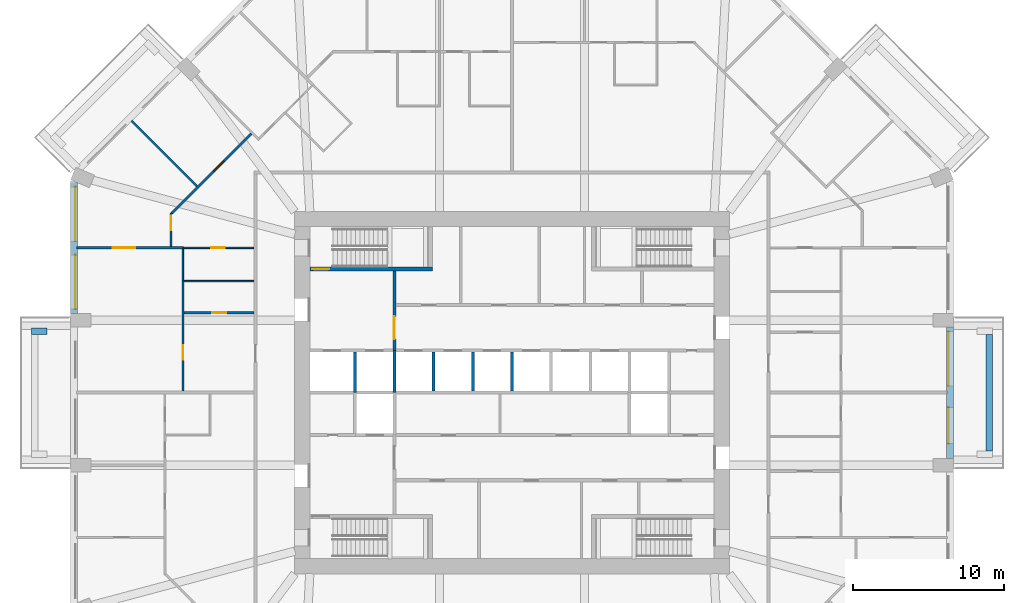
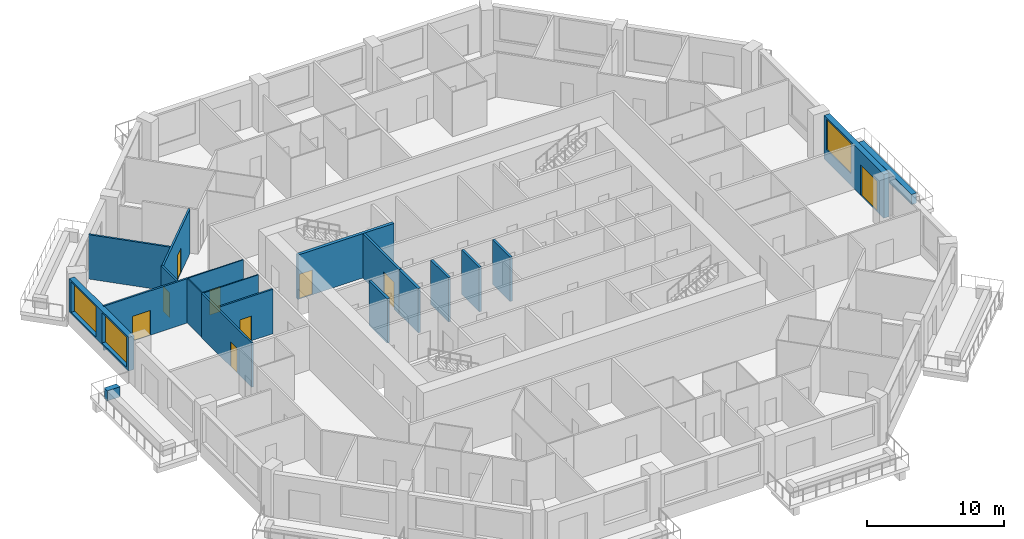
# One storey, part 7 of 13: 20 walls, 9 doors, 3 windows, 12 openings.
"""IFC4 building model written with IfcOpenShell, lengths in metres."""

from ifc_helpers import new_model, si_unit, direction, frame, frame_2d, origin, place, context, subcontext, project, spatial, rectangle, extrude, material, layer, layer_set, type_object, element, fill, save


model = new_model("IFC4")

# Units and contexts
model_context = context("Model", 3, precision=1e-05, world=origin(), true_north=direction((0.0, 1.0)))
body_context = subcontext(model_context, "Body", "Model", "MODEL_VIEW")
ifc_project = project(units=[si_unit("LENGTHUNIT", "METRE"), si_unit("AREAUNIT", "SQUARE_METRE"), si_unit("VOLUMEUNIT", "CUBIC_METRE"), si_unit("PLANEANGLEUNIT", "RADIAN"), si_unit("MASSUNIT", "GRAM", prefix="KILO")], contexts=[model_context])

# Site, building, storey
site_placement = place(None, origin())
site = spatial("IfcSite", under=ifc_project, at=site_placement, CompositionType="ELEMENT")
building_placement = place(site_placement, origin())
building = spatial("IfcBuilding", under=site, at=building_placement, Name="Msitu Wima Residences", CompositionType="ELEMENT")
storey_placement = place(building_placement, frame((0.0, 0.0, 46.5)))
storey = spatial("IfcBuildingStorey", under=building, at=storey_placement, Name="L10", CompositionType="ELEMENT", Elevation=46.5)

# Walls
ifc_material_1 = material(Name="Facing brick")
ifc_layer_1 = layer(ifc_material_1, 0.06494140625, Name="Facing brick")
ifc_material_2 = material(Name="Concrete C40/50", Category="concrete")
ifc_layer_2 = layer(ifc_material_2, 0.156005859375, Name="Concrete C40/50")
ifc_material_3 = material(Name="Waterproofing membrane")
ifc_layer_3 = layer(ifc_material_3, 0.00390625, Name="Waterproofing membrane")
ifc_material_4 = material(Name="Planting soil and planting")
ifc_layer_4 = layer(ifc_material_4, 0.22509765625, Name="Planting soil and planting")
ifc_layer_set_1 = layer_set([ifc_layer_1, ifc_layer_2, ifc_layer_3, ifc_layer_4], Name="Concrete C40/50")
wall_type_1 = type_object("IfcWallType", Name="Balcony planter PLANTER PL450", PredefinedType="USERDEFINED", material=ifc_layer_set_1)
wall_1_placement = place(storey_placement, frame((31.625, -3.85009765625, 0.0), z_axis=(0.0, 0.0, 1.0), x_axis=(0.0, 1.0, 0.0)))
element("IfcWall", 1, at=wall_1_placement, inside=storey, type_object=wall_type_1, Name="Balcony planter E1 L10", ObjectType="PLANTER", PredefinedType="USERDEFINED", context=body_context, shape_type="SweptSolid", body=[
    extrude(rectangle(XDim=7.7001953125, YDim=0.449951171875, at=frame_2d((3.85009765625, 0.0))), origin(), (0.0, 0.0, 1.0), 0.89990234375),
])
wall_2_placement = place(storey_placement, frame((-30.800048828125, 4.074951171875, 0.0), z_axis=(0.0, 0.0, 1.0), x_axis=(-1.0, 0.0, 0.0)))
element("IfcWall", 2, at=wall_2_placement, inside=storey, type_object=wall_type_1, Name="Balcony planter W1 L10", ObjectType="PLANTER", PredefinedType="USERDEFINED", context=body_context, shape_type="SweptSolid", body=[
    extrude(rectangle(XDim=1.050048828125, YDim=0.449951171875, at=frame_2d((0.52490234375, 0.0))), origin(), (0.0, 0.0, 1.0), 0.89990234375),
])

# Wall, openings, door, window
ifc_material_5 = material(Name="Brick (red buff mix)", Category="masonry")
ifc_layer_5 = layer(ifc_material_5, 0.449951171875)
ifc_layer_set_2 = layer_set([ifc_layer_5], Name="Brick (red buff mix)")
wall_type_2 = type_object("IfcWallType", Name="Brick infill wall BW450", PredefinedType="SOLIDWALL", material=ifc_layer_set_2)
wall_3_placement = place(storey_placement, frame((29.02490234375, -4.35009765625, 0.0), z_axis=(0.0, 0.0, 1.0), x_axis=(0.0, 1.0, 0.0)))
wall_3 = element("IfcWall", 3, at=wall_3_placement, inside=storey, type_object=wall_type_2, Name="Brick infill wall L10 E1", PredefinedType="SOLIDWALL", context=body_context, shape_type="SweptSolid", body=[
    extrude(rectangle(XDim=8.7001953125, YDim=0.449951171875, at=frame_2d((4.35009765625, 0.0))), origin(), (0.0, 0.0, 1.0), 3.89990234375),
])
opening_1_placement = place(wall_3_placement, frame((0.97509765625, 0.0, 0.0)))
opening_1 = element("IfcOpeningElement", 4, at=opening_1_placement, cuts=wall_3, Name="Opening D08-10.001", PredefinedType="OPENING", context=body_context, shape_type="SweptSolid", body=[
    extrude(rectangle(XDim=2.39990234375, YDim=2.699951171875, at=frame_2d((1.199951171875, 1.35009765625))), frame((0.0, 0.23486328125, 0.0), z_axis=(0.0, -1.0, 0.0), x_axis=(1.0, 0.0, 0.0)), (0.0, 0.0, 1.0), 0.469970703125),
])
opening_2_placement = place(wall_3_placement, frame((4.800048828125, 0.0, 1.050048828125)))
opening_2 = element("IfcOpeningElement", 5, at=opening_2_placement, cuts=wall_3, Name="Opening W08-10.003", PredefinedType="OPENING", context=body_context, shape_type="SweptSolid", body=[
    extrude(rectangle(XDim=3.60009765625, YDim=2.699951171875, at=frame_2d((1.800048828125, 1.35009765625))), frame((0.0, 0.23486328125, 0.0), z_axis=(0.0, -1.0, 0.0), x_axis=(1.0, 0.0, 0.0)), (0.0, 0.0, 1.0), 0.469970703125),
])
ifc_material_6 = material(Name="Anodised aluminium, bronze finish, clear low-emissivity double glazing", Category="aluminium")
door_type_1 = type_object("IfcDoorType", Name="Balcony door D2400x2700", OperationType="SLIDING_TO_LEFT", PredefinedType="DOOR", material=ifc_material_6)
door_1_placement = place(opening_1_placement, origin())
door_1 = element("IfcDoor", 6, at=door_1_placement, inside=storey, type_object=door_type_1, Name="Balcony door L10 E1", OperationType="SINGLE_SWING_LEFT", OverallHeight=2.699951171875, OverallWidth=2.39990234375, PredefinedType="DOOR", context=body_context, shape_type="SweptSolid", body=[
    extrude(rectangle(XDim=2.39990234375, YDim=2.699951171875, at=frame_2d((1.199951171875, 1.35009765625))), frame((0.0, 0.1298828125, 0.0), z_axis=(0.0, -1.0, 0.0), x_axis=(1.0, 0.0, 0.0)), (0.0, 0.0, 1.0), 0.050048828125),
])
fill(opening_1, door_1)
window_type = type_object("IfcWindowType", Name="Window W3600x2700", PartitioningType="DOUBLE_PANEL_VERTICAL", PredefinedType="WINDOW", material=ifc_material_6)
window_1_placement = place(opening_2_placement, origin())
window_1 = element("IfcWindow", 7, at=window_1_placement, inside=storey, type_object=window_type, Name="Window L10 E1.2", OverallHeight=2.699951171875, OverallWidth=3.60009765625, PartitioningType="SINGLE_PANEL", PredefinedType="WINDOW", context=body_context, shape_type="SweptSolid", body=[
    extrude(rectangle(XDim=3.60009765625, YDim=2.699951171875, at=frame_2d((1.800048828125, 1.35009765625))), frame((0.0, 0.135009765625, 0.0), z_axis=(0.0, -1.0, 0.0), x_axis=(1.0, 0.0, 0.0)), (0.0, 0.0, 1.0), 0.06005859375),
])
fill(opening_2, window_1)

# Wall, openings, windows
wall_4_placement = place(storey_placement, frame((-29.02490234375, 13.912841796875, 0.89990234375), z_axis=(0.0, 0.0, 1.0), x_axis=(0.0, -1.0, 0.0)))
wall_4 = element("IfcWall", 8, at=wall_4_placement, inside=storey, type_object=wall_type_2, Name="Brick infill wall L10 W0", PredefinedType="SOLIDWALL", context=body_context, shape_type="SweptSolid", body=[
    extrude(rectangle(XDim=8.662841796875, YDim=0.449951171875, at=frame_2d((4.33154296875, 0.0))), origin(), (0.0, 0.0, 1.0), 3.0),
])
opening_3_placement = place(wall_4_placement, frame((0.281494140625, 0.0, 0.14990234375)))
opening_3 = element("IfcOpeningElement", 9, at=opening_3_placement, cuts=wall_4, Name="Opening W08-10.026", PredefinedType="OPENING", context=body_context, shape_type="SweptSolid", body=[
    extrude(rectangle(XDim=3.60009765625, YDim=2.699951171875, at=frame_2d((1.800048828125, 1.35009765625))), frame((0.0, 0.23486328125, 0.0), z_axis=(0.0, -1.0, 0.0), x_axis=(1.0, 0.0, 0.0)), (0.0, 0.0, 1.0), 0.469970703125),
])
opening_4_placement = place(wall_4_placement, frame((4.781494140625, 0.0, 0.14990234375)))
opening_4 = element("IfcOpeningElement", 10, at=opening_4_placement, cuts=wall_4, Name="Opening W08-10.027", PredefinedType="OPENING", context=body_context, shape_type="SweptSolid", body=[
    extrude(rectangle(XDim=3.60009765625, YDim=2.699951171875, at=frame_2d((1.800048828125, 1.35009765625))), frame((0.0, 0.23486328125, 0.0), z_axis=(0.0, -1.0, 0.0), x_axis=(1.0, 0.0, 0.0)), (0.0, 0.0, 1.0), 0.469970703125),
])
window_2_placement = place(opening_3_placement, origin())
window_2 = element("IfcWindow", 11, at=window_2_placement, inside=storey, type_object=window_type, Name="Window L10 W0.1", OverallHeight=2.699951171875, OverallWidth=3.60009765625, PartitioningType="SINGLE_PANEL", PredefinedType="WINDOW", context=body_context, shape_type="SweptSolid", body=[
    extrude(rectangle(XDim=3.60009765625, YDim=2.699951171875, at=frame_2d((1.800048828125, 1.35009765625))), frame((0.0, 0.135009765625, 0.0), z_axis=(0.0, -1.0, 0.0), x_axis=(1.0, 0.0, 0.0)), (0.0, 0.0, 1.0), 0.06005859375),
])
fill(opening_3, window_2)
window_3_placement = place(opening_4_placement, origin())
window_3 = element("IfcWindow", 12, at=window_3_placement, inside=storey, type_object=window_type, Name="Window L10 W0.2", OverallHeight=2.699951171875, OverallWidth=3.60009765625, PartitioningType="SINGLE_PANEL", PredefinedType="WINDOW", context=body_context, shape_type="SweptSolid", body=[
    extrude(rectangle(XDim=3.60009765625, YDim=2.699951171875, at=frame_2d((1.800048828125, 1.35009765625))), frame((0.0, 0.135009765625, 0.0), z_axis=(0.0, -1.0, 0.0), x_axis=(1.0, 0.0, 0.0)), (0.0, 0.0, 1.0), 0.06005859375),
])
fill(opening_4, window_3)

# Wall, opening, door
ifc_material_7 = material(Name="Plaster")
ifc_layer_6 = layer(ifc_material_7, 0.011962890625, Name="Plaster")
ifc_material_8 = material(Name="Concrete blockwork", Category="masonry")
ifc_layer_7 = layer(ifc_material_8, 0.176025390625, Name="Concrete blockwork")
ifc_layer_8 = layer(ifc_material_7, 0.011962890625, Name="Plaster")
ifc_layer_set_3 = layer_set([ifc_layer_6, ifc_layer_7, ifc_layer_8], Name="Concrete blockwork")
wall_type_3 = type_object("IfcWallType", Name="Corridor wall FW200", PredefinedType="PARTITIONING", material=ifc_layer_set_3)
wall_5_placement = place(storey_placement, frame((-7.800048828125, 2.800048828125, 0.0), z_axis=(0.0, 0.0, 1.0), x_axis=(0.0, 1.0, 0.0)))
wall_5 = element("IfcWall", 13, at=wall_5_placement, inside=storey, type_object=wall_type_3, Name="Corridor wall", PredefinedType="PARTITIONING", context=body_context, shape_type="SweptSolid", body=[
    extrude(rectangle(XDim=5.27490234375, YDim=0.199951171875, at=frame_2d((2.637451171875, 0.0))), origin(), (0.0, 0.0, 1.0), 3.949951171875),
])
opening_5_placement = place(wall_5_placement, frame((0.75, 0.0, 0.0)))
opening_5 = element("IfcOpeningElement", 14, at=opening_5_placement, cuts=wall_5, Name="Opening D08-10.017", PredefinedType="OPENING", context=body_context, shape_type="SweptSolid", body=[
    extrude(rectangle(XDim=1.5, YDim=2.39990234375, at=frame_2d((0.75, 1.199951171875))), frame((0.0, 0.10986328125, 0.0), z_axis=(0.0, -1.0, 0.0), x_axis=(1.0, 0.0, 0.0)), (0.0, 0.0, 1.0), 0.219970703125),
])
ifc_material_9 = material(Name="Steel framed glazed door, fire resisting", Category="steel")
door_type_2 = type_object("IfcDoorType", Name="Lobby door D07 1500x2400", OperationType="DOUBLE_DOOR_SINGLE_SWING", PredefinedType="DOOR", material=ifc_material_9)
door_2_placement = place(opening_5_placement, origin())
door_2 = element("IfcDoor", 15, at=door_2_placement, inside=storey, type_object=door_type_2, Name="Lobby door", OperationType="DOUBLE_DOOR_SINGLE_SWING", OverallHeight=2.39990234375, OverallWidth=1.5, PredefinedType="DOOR", context=body_context, shape_type="SweptSolid", body=[
    extrude(rectangle(XDim=1.5, YDim=2.39990234375, at=frame_2d((0.75, 1.199951171875))), frame((0.0, 0.02490234375, 0.0), z_axis=(0.0, -1.0, 0.0), x_axis=(1.0, 0.0, 0.0)), (0.0, 0.0, 1.0), 0.050048828125),
])
fill(opening_5, door_2)

ifc_layer_9 = layer(ifc_material_7, 0.011962890625, Name="Plaster")
ifc_layer_10 = layer(ifc_material_8, 0.1259765625, Name="Concrete blockwork")
ifc_layer_11 = layer(ifc_material_7, 0.011962890625, Name="Plaster")
ifc_layer_set_4 = layer_set([ifc_layer_9, ifc_layer_10, ifc_layer_11], Name="Concrete blockwork")
wall_type_4 = type_object("IfcWallType", Name="Partition PW150", PredefinedType="PARTITIONING", material=ifc_layer_set_4)
wall_6_placement = place(storey_placement, frame((-28.85498046875, 9.60009765625, 0.0), z_axis=(0.0, 0.0, 1.0), x_axis=(1.0, 0.0, 0.0)))
wall_6 = element("IfcWall", 16, at=wall_6_placement, inside=storey, type_object=wall_type_4, Name="Partition", PredefinedType="PARTITIONING", context=body_context, shape_type="SweptSolid", body=[
    extrude(rectangle(XDim=7.074951171875, YDim=0.14990234375, at=frame_2d((3.53759765625, 0.0))), origin(), (0.0, 0.0, 1.0), 3.949951171875),
])
opening_6_placement = place(wall_6_placement, frame((2.39990234375, 0.0, 0.0)))
opening_6 = element("IfcOpeningElement", 17, at=opening_6_placement, cuts=wall_6, Name="Opening D08-10.045", PredefinedType="OPENING", context=body_context, shape_type="SweptSolid", body=[
    extrude(rectangle(XDim=1.5, YDim=2.199951171875, at=frame_2d((0.75, 1.10009765625))), frame((0.0, 0.0849609375, 0.0), z_axis=(0.0, -1.0, 0.0), x_axis=(1.0, 0.0, 0.0)), (0.0, 0.0, 1.0), 0.169921875),
])
ifc_material_10 = material(Name="Timber double door", Category="wood")
door_type_3 = type_object("IfcDoorType", Name="Double door D04 1500x2200", OperationType="DOUBLE_DOOR_SINGLE_SWING", PredefinedType="DOOR", material=ifc_material_10)
door_3_placement = place(opening_6_placement, origin())
door_3 = element("IfcDoor", 18, at=door_3_placement, inside=storey, type_object=door_type_3, Name="Double door", OperationType="DOUBLE_DOOR_SINGLE_SWING", OverallHeight=2.199951171875, OverallWidth=1.5, PredefinedType="DOOR", context=body_context, shape_type="SweptSolid", body=[
    extrude(rectangle(XDim=1.5, YDim=2.199951171875, at=frame_2d((0.75, 1.10009765625))), frame((0.0, 0.02490234375, 0.0), z_axis=(0.0, -1.0, 0.0), x_axis=(1.0, 0.0, 0.0)), (0.0, 0.0, 1.0), 0.050048828125),
])
fill(opening_6, door_3)

# Wall
wall_7_placement = place(storey_placement, frame((-25.2177734375, 18.017578125, 0.0), z_axis=(0.0, 0.0, 1.0), x_axis=(0.707126629519, -0.707086932297, 0.0)))
element("IfcWall", 19, at=wall_7_placement, inside=storey, type_object=wall_type_4, Name="Partition", PredefinedType="PARTITIONING", context=body_context, shape_type="SweptSolid", body=[
    extrude(rectangle(XDim=6.150146484375, YDim=0.14990234375, at=frame_2d((3.0751953125, 0.0))), origin(), (0.0, 0.0, 1.0), 3.949951171875),
])

# Wall, opening, door
wall_8_placement = place(storey_placement, frame((-22.60009765625, 9.675048828125, 0.0), z_axis=(0.0, 0.0, 1.0), x_axis=(0.0, 1.0, 0.0)))
wall_8 = element("IfcWall", 20, at=wall_8_placement, inside=storey, type_object=wall_type_4, Name="Partition", PredefinedType="PARTITIONING", context=body_context, shape_type="SweptSolid", body=[
    extrude(rectangle(XDim=2.23193359375, YDim=0.14990234375, at=frame_2d((1.115966796875, 0.0))), origin(), (0.0, 0.0, 1.0), 3.949951171875),
])
opening_7_placement = place(wall_8_placement, frame((1.10009765625, 0.0, 0.0)))
opening_7 = element("IfcOpeningElement", 21, at=opening_7_placement, cuts=wall_8, Name="Opening D08-10.047", PredefinedType="OPENING", context=body_context, shape_type="SweptSolid", body=[
    extrude(rectangle(XDim=0.949951171875, YDim=2.199951171875, at=frame_2d((0.47509765625, 1.10009765625))), frame((0.0, 0.0849609375, 0.0), z_axis=(0.0, -1.0, 0.0), x_axis=(1.0, 0.0, 0.0)), (0.0, 0.0, 1.0), 0.169921875),
])
ifc_material_11 = material(Name="Timber flush door", Category="wood")
door_type_4 = type_object("IfcDoorType", Name="Room door D12 950x2200", OperationType="SINGLE_SWING_LEFT", PredefinedType="DOOR", material=ifc_material_11)
door_4_placement = place(opening_7_placement, origin())
door_4 = element("IfcDoor", 22, at=door_4_placement, inside=storey, type_object=door_type_4, Name="Room door", OperationType="SINGLE_SWING_LEFT", OverallHeight=2.199951171875, OverallWidth=0.949951171875, PredefinedType="DOOR", context=body_context, shape_type="SweptSolid", body=[
    extrude(rectangle(XDim=0.949951171875, YDim=2.199951171875, at=frame_2d((0.47509765625, 1.10009765625))), frame((0.0, 0.02490234375, 0.0), z_axis=(0.0, -1.0, 0.0), x_axis=(1.0, 0.0, 0.0)), (0.0, 0.0, 1.0), 0.050048828125),
])
fill(opening_7, door_4)

wall_9_placement = place(storey_placement, frame((-22.546875, 11.885009765625, 0.0), z_axis=(0.0, 0.0, 1.0), x_axis=(0.707106781187, 0.707106781187, 0.0)))
wall_9 = element("IfcWall", 23, at=wall_9_placement, inside=storey, type_object=wall_type_4, Name="Partition", PredefinedType="PARTITIONING", context=body_context, shape_type="SweptSolid", body=[
    extrude(rectangle(XDim=7.4638671875, YDim=0.14990234375, at=frame_2d((3.73193359375, 0.0))), origin(), (0.0, 0.0, 1.0), 3.949951171875),
])
opening_8_placement = place(wall_9_placement, frame((3.949951171875, 0.0, 0.0)))
opening_8 = element("IfcOpeningElement", 24, at=opening_8_placement, cuts=wall_9, Name="Opening D08-10.048", PredefinedType="OPENING", context=body_context, shape_type="SweptSolid", body=[
    extrude(rectangle(XDim=0.949951171875, YDim=2.199951171875, at=frame_2d((0.47509765625, 1.10009765625))), frame((0.0, 0.0849609375, 0.0), z_axis=(0.0, -1.0, 0.0), x_axis=(1.0, 0.0, 0.0)), (0.0, 0.0, 1.0), 0.169921875),
])
door_5_placement = place(opening_8_placement, origin())
door_5 = element("IfcDoor", 25, at=door_5_placement, inside=storey, type_object=door_type_4, Name="Room door", OperationType="SINGLE_SWING_LEFT", OverallHeight=2.199951171875, OverallWidth=0.949951171875, PredefinedType="DOOR", context=body_context, shape_type="SweptSolid", body=[
    extrude(rectangle(XDim=0.949951171875, YDim=2.199951171875, at=frame_2d((0.47509765625, 1.10009765625))), frame((0.0, 0.02490234375, 0.0), z_axis=(0.0, -1.0, 0.0), x_axis=(1.0, 0.0, 0.0)), (0.0, 0.0, 1.0), 0.050048828125),
])
fill(opening_8, door_5)

wall_10_placement = place(storey_placement, frame((-21.800048828125, 0.10009765625, 0.0), z_axis=(0.0, 0.0, 1.0), x_axis=(0.0, 1.0, 0.0)))
wall_10 = element("IfcWall", 26, at=wall_10_placement, inside=storey, type_object=wall_type_4, Name="Partition", PredefinedType="PARTITIONING", context=body_context, shape_type="SweptSolid", body=[
    extrude(rectangle(XDim=7.31982421875, YDim=0.14990234375, at=frame_2d((3.659912109375, 0.0))), origin(), (0.0, 0.0, 1.0), 3.949951171875),
])
opening_9_placement = place(wall_10_placement, frame((2.10009765625, 0.0, 0.0)))
opening_9 = element("IfcOpeningElement", 27, at=opening_9_placement, cuts=wall_10, Name="Opening D08-10.044", PredefinedType="OPENING", context=body_context, shape_type="SweptSolid", body=[
    extrude(rectangle(XDim=0.949951171875, YDim=2.199951171875, at=frame_2d((0.47509765625, 1.10009765625))), frame((0.0, 0.0849609375, 0.0), z_axis=(0.0, -1.0, 0.0), x_axis=(1.0, 0.0, 0.0)), (0.0, 0.0, 1.0), 0.169921875),
])
door_6_placement = place(opening_9_placement, origin())
door_6 = element("IfcDoor", 28, at=door_6_placement, inside=storey, type_object=door_type_4, Name="Room door", OperationType="SINGLE_SWING_LEFT", OverallHeight=2.199951171875, OverallWidth=0.949951171875, PredefinedType="DOOR", context=body_context, shape_type="SweptSolid", body=[
    extrude(rectangle(XDim=0.949951171875, YDim=2.199951171875, at=frame_2d((0.47509765625, 1.10009765625))), frame((0.0, 0.02490234375, 0.0), z_axis=(0.0, -1.0, 0.0), x_axis=(1.0, 0.0, 0.0)), (0.0, 0.0, 1.0), 0.050048828125),
])
fill(opening_9, door_6)

wall_11_placement = place(storey_placement, frame((-21.72509765625, 5.300048828125, 0.0), z_axis=(0.0, 0.0, 1.0), x_axis=(1.0, 0.0, 0.0)))
wall_11 = element("IfcWall", 29, at=wall_11_placement, inside=storey, type_object=wall_type_4, Name="Partition", PredefinedType="PARTITIONING", context=body_context, shape_type="SweptSolid", body=[
    extrude(rectangle(XDim=4.625, YDim=0.14990234375, at=frame_2d((2.3125, 0.0))), origin(), (0.0, 0.0, 1.0), 3.949951171875),
])
opening_10_placement = place(wall_11_placement, frame((1.85009765625, 0.0, 0.0)))
opening_10 = element("IfcOpeningElement", 30, at=opening_10_placement, cuts=wall_11, Name="Opening D08-10.046", PredefinedType="OPENING", context=body_context, shape_type="SweptSolid", body=[
    extrude(rectangle(XDim=0.949951171875, YDim=2.199951171875, at=frame_2d((0.47509765625, 1.10009765625))), frame((0.0, 0.0849609375, 0.0), z_axis=(0.0, -1.0, 0.0), x_axis=(1.0, 0.0, 0.0)), (0.0, 0.0, 1.0), 0.169921875),
])
door_7_placement = place(opening_10_placement, origin())
door_7 = element("IfcDoor", 31, at=door_7_placement, inside=storey, type_object=door_type_4, Name="Room door", OperationType="SINGLE_SWING_RIGHT", OverallHeight=2.199951171875, OverallWidth=0.949951171875, PredefinedType="DOOR", context=body_context, shape_type="SweptSolid", body=[
    extrude(rectangle(XDim=0.949951171875, YDim=2.199951171875, at=frame_2d((0.47509765625, 1.10009765625))), frame((0.0, 0.02490234375, 0.0), z_axis=(0.0, -1.0, 0.0), x_axis=(1.0, 0.0, 0.0)), (0.0, 0.0, 1.0), 0.050048828125),
])
fill(opening_10, door_7)

# Walls
ifc_material_12 = material(Name="Fire-rated board")
ifc_layer_12 = layer(ifc_material_12, 0.02490234375, Name="Fire-rated board")
ifc_material_13 = material(Name="Light-gauge stud framing with mineral wool")
ifc_layer_13 = layer(ifc_material_13, 0.14990234375, Name="Light-gauge stud framing with mineral wool")
ifc_layer_14 = layer(ifc_material_12, 0.02490234375, Name="Fire-rated board")
ifc_layer_set_5 = layer_set([ifc_layer_12, ifc_layer_13, ifc_layer_14], Name="Light-gauge stud framing with mineral wool")
wall_type_5 = type_object("IfcWallType", Name="Shaft wall SH200", PredefinedType="PARTITIONING", material=ifc_layer_set_5)
wall_12_placement = place(storey_placement, frame((-10.39990234375, 0.0, 0.0), z_axis=(0.0, 0.0, 1.0), x_axis=(0.0, 1.0, 0.0)))
element("IfcWall", 32, at=wall_12_placement, inside=storey, type_object=wall_type_5, Name="Shaft wall", PredefinedType="PARTITIONING", context=body_context, shape_type="SweptSolid", body=[
    extrude(rectangle(XDim=2.699951171875, YDim=0.199951171875, at=frame_2d((1.35009765625, 0.0))), origin(), (0.0, 0.0, 1.0), 3.949951171875),
])
wall_13_placement = place(storey_placement, frame((-7.800048828125, 0.0, 0.0), z_axis=(0.0, 0.0, 1.0), x_axis=(0.0, 1.0, 0.0)))
element("IfcWall", 33, at=wall_13_placement, inside=storey, type_object=wall_type_5, Name="Shaft wall", PredefinedType="PARTITIONING", context=body_context, shape_type="SweptSolid", body=[
    extrude(rectangle(XDim=2.800048828125, YDim=0.199951171875, at=frame_2d((1.39990234375, 0.0))), origin(), (0.0, 0.0, 1.0), 3.949951171875),
])
for number, where, z_axis, x_axis, name in (
    (34, (-5.199951171875, 0.10009765625, 0.0), (0.0, 0.0, 1.0), (0.0, 1.0, 0.0), "Shaft wall"),
    (35, (-2.60009765625, 0.10009765625, 0.0), (0.0, 0.0, 1.0), (0.0, 1.0, 0.0), "Shaft wall"),
    (36, (0.0, 0.10009765625, 0.0), (0.0, 0.0, 1.0), (0.0, 1.0, 0.0), "Shaft wall"),
):
    element("IfcWall", number, at=place(storey_placement, frame(where, z_axis=z_axis, x_axis=x_axis)), inside=storey, type_object=wall_type_5, Name=name, PredefinedType="PARTITIONING", context=body_context, shape_type="SweptSolid", body=[
        extrude(rectangle(XDim=2.599853515625, YDim=0.199951171875, at=frame_2d((1.2998046875, 0.0))), origin(), (0.0, 0.0, 1.0), 3.949951171875),
    ])

# Wall, opening, door
ifc_material_14 = material(Name="Concrete C50/60", Category="concrete")
ifc_layer_15 = layer(ifc_material_14, 0.25)
ifc_layer_set_6 = layer_set([ifc_layer_15], Name="Concrete C50/60")
wall_type_6 = type_object("IfcWallType", Name="Stair enclosure wall SW250", PredefinedType="SHEAR", material=ifc_layer_set_6)
wall_14_placement = place(storey_placement, frame((-13.3701171875, 8.199951171875, 0.0), z_axis=(0.0, 0.0, 1.0), x_axis=(1.0, 0.0, 0.0)))
wall_14 = element("IfcWall", 37, at=wall_14_placement, inside=storey, type_object=wall_type_6, Name="Stair enclosure wall", PredefinedType="SHEAR", context=body_context, shape_type="SweptSolid", body=[
    extrude(rectangle(XDim=8.09521484375, YDim=0.25, at=frame_2d((4.047607421875, 0.0))), origin(), (0.0, 0.0, 1.0), 3.949951171875),
])
opening_11_placement = place(wall_14_placement, frame((0.14990234375, 0.0, 0.0)))
opening_11 = element("IfcOpeningElement", 38, at=opening_11_placement, cuts=wall_14, Name="Opening D08-10.036", PredefinedType="OPENING", context=body_context, shape_type="SweptSolid", body=[
    extrude(rectangle(XDim=1.10009765625, YDim=2.199951171875, at=frame_2d((0.550048828125, 1.10009765625))), frame((0.0, 0.135009765625, 0.0), z_axis=(0.0, -1.0, 0.0), x_axis=(1.0, 0.0, 0.0)), (0.0, 0.0, 1.0), 0.27001953125),
])
ifc_material_15 = material(Name="Steel door, fire resisting, panic bar", Category="steel")
door_type_5 = type_object("IfcDoorType", Name="Stair door D06 1100x2200", OperationType="SINGLE_SWING_LEFT", PredefinedType="DOOR", material=ifc_material_15)
door_8_placement = place(opening_11_placement, origin())
door_8 = element("IfcDoor", 39, at=door_8_placement, inside=storey, type_object=door_type_5, Name="Stair door", OperationType="SINGLE_SWING_LEFT", OverallHeight=2.199951171875, OverallWidth=1.10009765625, PredefinedType="DOOR", context=body_context, shape_type="SweptSolid", body=[
    extrude(rectangle(XDim=1.10009765625, YDim=2.199951171875, at=frame_2d((0.550048828125, 1.10009765625))), frame((0.0, 0.02490234375, 0.0), z_axis=(0.0, -1.0, 0.0), x_axis=(1.0, 0.0, 0.0)), (0.0, 0.0, 1.0), 0.050048828125),
])
fill(opening_11, door_8)

ifc_material_16 = material(Name="Ceramic tiles")
ifc_layer_16 = layer(ifc_material_16, 0.008056640625, Name="Ceramic tiles")
ifc_material_17 = material(Name="Moisture-resistant board")
ifc_layer_17 = layer(ifc_material_17, 0.012451171875, Name="Moisture-resistant board")
ifc_layer_18 = layer(ifc_material_13, 0.06689453125, Name="Light-gauge stud framing with mineral wool")
ifc_layer_19 = layer(ifc_material_17, 0.012451171875, Name="Moisture-resistant board")
ifc_layer_set_7 = layer_set([ifc_layer_16, ifc_layer_17, ifc_layer_18, ifc_layer_19], Name="Light-gauge stud framing with mineral wool")
wall_type_7 = type_object("IfcWallType", Name="Wet wall PW100", PredefinedType="PARTITIONING", material=ifc_layer_set_7)
wall_15_placement = place(storey_placement, frame((-21.780029296875, 9.60009765625, 0.0), z_axis=(0.0, 0.0, 1.0), x_axis=(1.0, 0.0, 0.0)))
wall_15 = element("IfcWall", 40, at=wall_15_placement, inside=storey, type_object=wall_type_7, Name="Wet wall", PredefinedType="PARTITIONING", context=body_context, shape_type="SweptSolid", body=[
    extrude(rectangle(XDim=4.679931640625, YDim=0.10009765625, at=frame_2d((2.33984375, 0.0))), origin(), (0.0, 0.0, 1.0), 3.949951171875),
])
opening_12_placement = place(wall_15_placement, frame((1.85009765625, 0.0, 0.0)))
opening_12 = element("IfcOpeningElement", 41, at=opening_12_placement, cuts=wall_15, Name="Opening D08-10.056", PredefinedType="OPENING", context=body_context, shape_type="SweptSolid", body=[
    extrude(rectangle(XDim=0.89990234375, YDim=2.199951171875, at=frame_2d((0.449951171875, 1.10009765625))), frame((0.0, 0.06005859375, 0.0), z_axis=(0.0, -1.0, 0.0), x_axis=(1.0, 0.0, 0.0)), (0.0, 0.0, 1.0), 0.1201171875),
])
ifc_material_18 = material(Name="Timber flush door, moisture resistant", Category="wood")
door_type_6 = type_object("IfcDoorType", Name="Bathroom door D03 900x2200", OperationType="SINGLE_SWING_LEFT", PredefinedType="DOOR", material=ifc_material_18)
door_9_placement = place(opening_12_placement, origin())
door_9 = element("IfcDoor", 42, at=door_9_placement, inside=storey, type_object=door_type_6, Name="Bathroom door", OperationType="SINGLE_SWING_RIGHT", OverallHeight=2.199951171875, OverallWidth=0.89990234375, PredefinedType="DOOR", context=body_context, shape_type="SweptSolid", body=[
    extrude(rectangle(XDim=0.89990234375, YDim=2.199951171875, at=frame_2d((0.449951171875, 1.10009765625))), frame((0.0, 0.02490234375, 0.0), z_axis=(0.0, -1.0, 0.0), x_axis=(1.0, 0.0, 0.0)), (0.0, 0.0, 1.0), 0.050048828125),
])
fill(opening_12, door_9)

# Walls
wall_16_placement = place(storey_placement, frame((-21.800048828125, 7.419921875, 0.0), z_axis=(0.0, 0.0, 1.0), x_axis=(0.0, 1.0, 0.0)))
element("IfcWall", 43, at=wall_16_placement, inside=storey, type_object=wall_type_7, Name="Wet wall", PredefinedType="PARTITIONING", context=body_context, shape_type="SweptSolid", body=[
    extrude(rectangle(XDim=2.10498046875, YDim=0.10009765625, at=frame_2d((1.052490234375, 0.0))), origin(), (0.0, 0.0, 1.0), 3.949951171875),
])
wall_17_placement = place(storey_placement, frame((-21.72509765625, 7.39990234375, 0.0), z_axis=(0.0, 0.0, 1.0), x_axis=(1.0, 0.0, 0.0)))
element("IfcWall", 44, at=wall_17_placement, inside=storey, type_object=wall_type_7, Name="Wet wall", PredefinedType="PARTITIONING", context=body_context, shape_type="SweptSolid", body=[
    extrude(rectangle(XDim=4.625, YDim=0.10009765625, at=frame_2d((2.3125, 0.0))), origin(), (0.0, 0.0, 1.0), 3.949951171875),
])

save(model, "model.ifc")
